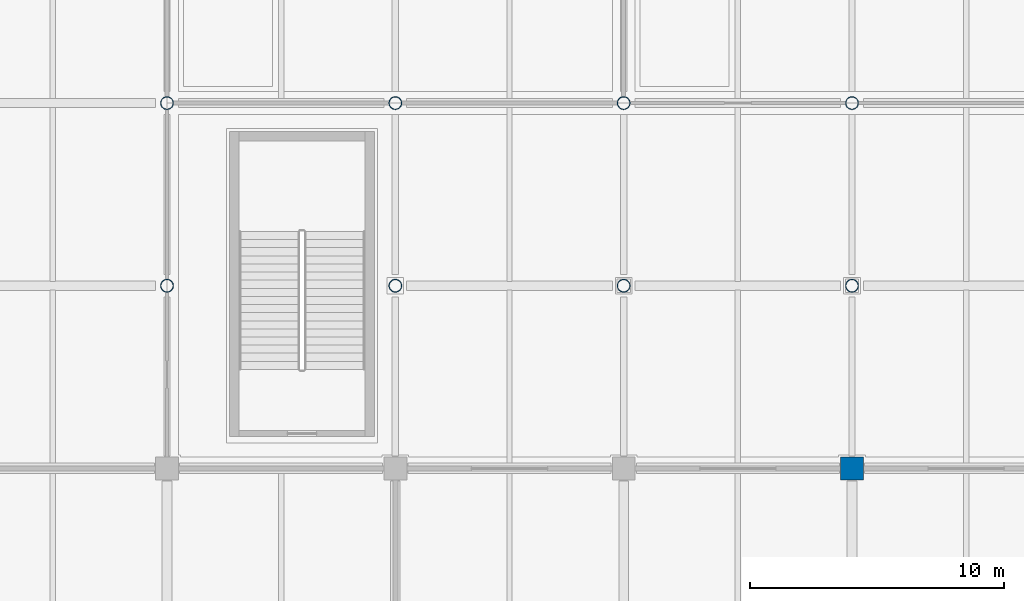
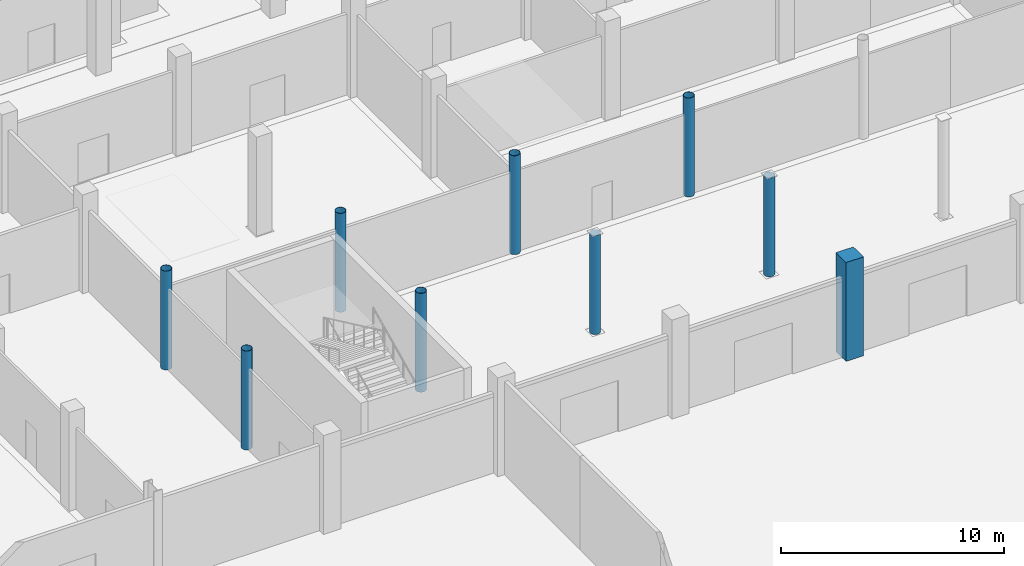
# One storey, part 5 of 137: 9 columns.
"""IFC4 building model written with IfcOpenShell, lengths in metres."""

from ifc_helpers import new_model, si_unit, direction, frame, origin, origin_2d, place, context, subcontext, project, spatial, rectangle, hollow_circle, extrude, material, material_profile, profile_set, type_object, element, save


model = new_model("IFC4")

# Units and contexts
model_context = context("Model", 3, precision=1e-05, world=origin(), true_north=direction((0.0, 1.0)))
body_context = subcontext(model_context, "Body", "Model", "MODEL_VIEW")
ifc_project = project(units=[si_unit("LENGTHUNIT", "METRE"), si_unit("AREAUNIT", "SQUARE_METRE"), si_unit("VOLUMEUNIT", "CUBIC_METRE"), si_unit("PLANEANGLEUNIT", "RADIAN"), si_unit("MASSUNIT", "GRAM", prefix="KILO")], contexts=[model_context])

# Site, building, storey
site_placement = place(None, origin())
site = spatial("IfcSite", under=ifc_project, at=site_placement, CompositionType="ELEMENT")
building_placement = place(site_placement, origin())
building = spatial("IfcBuilding", under=site, at=building_placement, Name="Celestram Park Convention Centre", CompositionType="ELEMENT")
storey_placement = place(building_placement, origin())
storey = spatial("IfcBuildingStorey", under=building, at=storey_placement, Name="L00", CompositionType="ELEMENT", Elevation=0.0)

# Columns
ifc_material_1 = material(Name="Steel ASTM A500 Grade C", Category="steel")
ifc_material_profile_1 = material_profile(ifc_material_1, hollow_circle(Radius=0.25390625, WallThickness=0.01611328125, at=origin_2d()), Name="CHS508X16")
ifc_profile_set_1 = profile_set([ifc_material_profile_1], Name="Steel ASTM A500 Grade C")
column_type_1 = type_object("IfcColumnType", Name="STR-COL-CHS508", PredefinedType="COLUMN", material=ifc_profile_set_1)
for number, where, z_axis, x_axis, name in (
    (1, (36.0, 115.199951171875, 0.0), (0.0, 0.0, 1.0), (1.0, 0.0, 0.0), "Column CN-L00-045"),
    (2, (36.0, 122.39990234375, 0.0), (0.0, 0.0, 1.0), (1.0, 0.0, 0.0), "Column CN-L00-046"),
    (3, (45.0, 115.199951171875, 0.0), (0.0, 0.0, 1.0), (1.0, 0.0, 0.0), "Column CN-L00-058"),
    (4, (45.0, 122.39990234375, 0.0), (0.0, 0.0, 1.0), (1.0, 0.0, 0.0), "Column CN-L00-059"),
    (5, (54.0, 115.199951171875, 0.0), (0.0, 0.0, 1.0), (1.0, 0.0, 0.0), "Column CN-L00-071"),
    (6, (54.0, 122.39990234375, 0.0), (0.0, 0.0, 1.0), (1.0, 0.0, 0.0), "Column CN-L00-072"),
    (7, (63.0, 115.199951171875, 0.0), (0.0, 0.0, 1.0), (1.0, 0.0, 0.0), "Column CN-L00-084"),
    (8, (63.0, 122.39990234375, 0.0), (0.0, 0.0, 1.0), (1.0, 0.0, 0.0), "Column CN-L00-085"),
):
    element("IfcColumn", number, at=place(storey_placement, frame(where, z_axis=z_axis, x_axis=x_axis)), inside=storey, type_object=column_type_1, Name=name, PredefinedType="COLUMN", context=body_context, shape_type="SweptSolid", body=[
        extrude(hollow_circle(Radius=0.25390625, WallThickness=0.01611328125, at=origin_2d()), origin(), (0.0, 0.0, 1.0), 5.39990234375),
    ])
ifc_material_2 = material(Name="Concrete C40/50", Category="concrete")
ifc_material_profile_2 = material_profile(ifc_material_2, rectangle(XDim=0.89990234375, YDim=0.89990234375, at=origin_2d()), Name="RC900X900")
ifc_profile_set_2 = profile_set([ifc_material_profile_2], Name="Concrete C40/50")
column_type_2 = type_object("IfcColumnType", Name="STR-COL-RC900", PredefinedType="COLUMN", material=ifc_profile_set_2)
column_placement = place(storey_placement, frame((63.0, 108.0, 0.0), z_axis=(0.0, 0.0, 1.0), x_axis=(1.0, 0.0, 0.0)))
element("IfcColumn", 9, at=column_placement, inside=storey, type_object=column_type_2, Name="Column CN-L00-083", PredefinedType="COLUMN", context=body_context, shape_type="SweptSolid", body=[
    extrude(rectangle(XDim=0.89990234375, YDim=0.89990234375, at=origin_2d()), origin(), (0.0, 0.0, 1.0), 5.39990234375),
])

save(model, "model.ifc")
